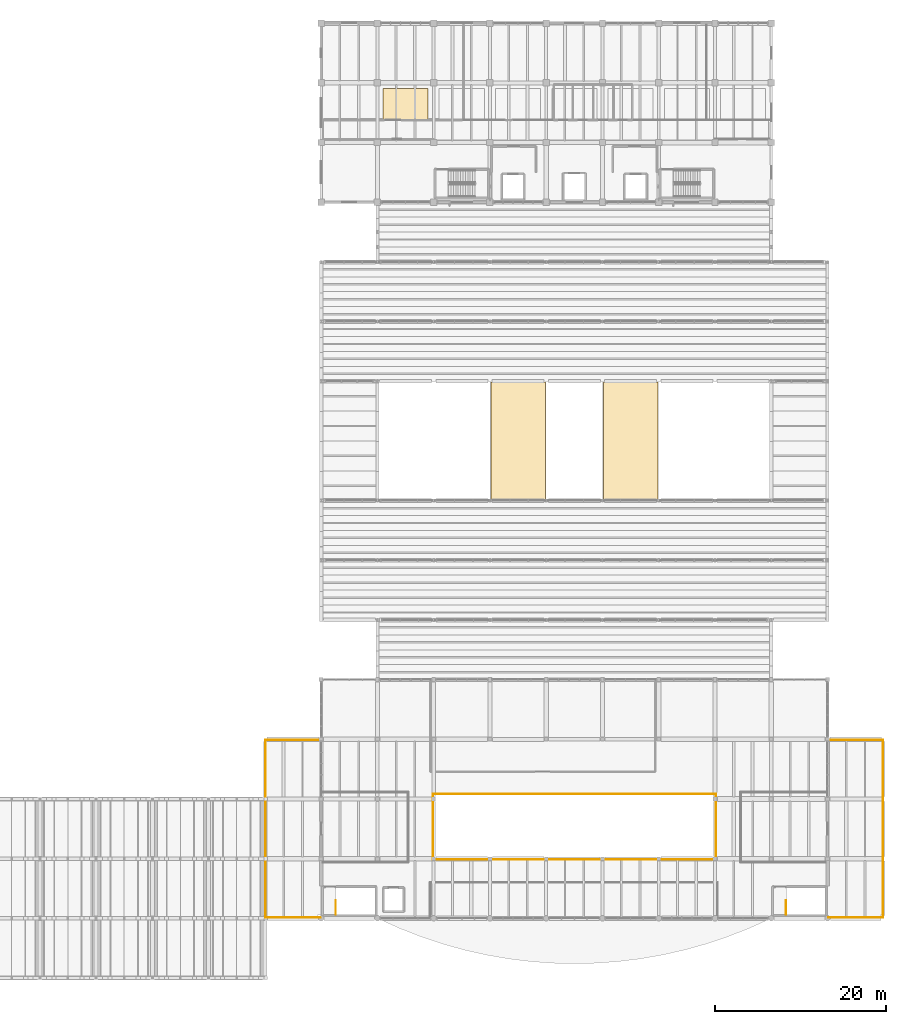
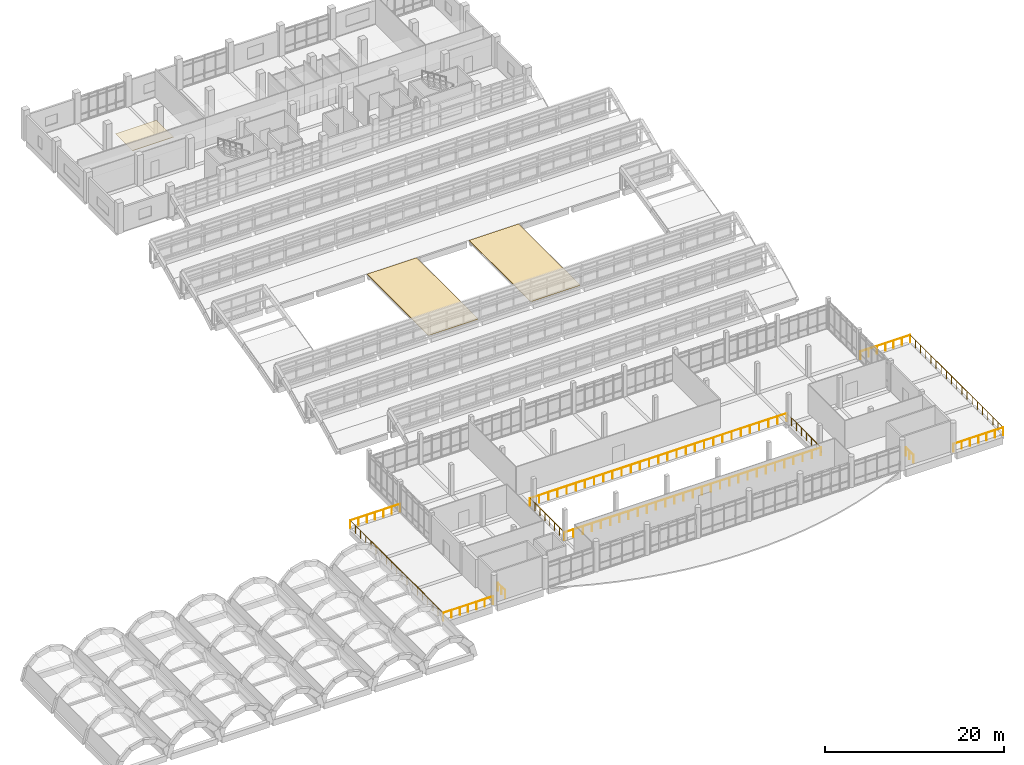
# One storey, part 90 of 92: 12 railings, 3 coverings.
"""IFC4 building model written with IfcOpenShell, lengths in metres."""

import ifcopenshell
import ifcopenshell.guid

model = None  # the IFC model being written
_history = None  # IfcOwnerHistory: only IFC2X3 demands one
_inside = {}  # id of a spatial element -> (the spatial element, [elements in it])
_under = {}  # id of a project, library or spatial element -> (it, [spatial elements below it])
_declared = {}  # id of a project -> (the project, [libraries it declares])
_typed = {}  # id of a type object -> (the type object, [elements of that type])
_made_of = {}  # id of a material, layer set ... -> (it, [elements and type objects made of it])


def new_model(schema):
    """Start an empty IFC model of exactly this schema.

    Asked for "IFC4X3", IfcOpenShell would pick the latest addendum, in which some entities
    have other attributes; the version numbers below select the first issue.
    IFC2X3 requires an IfcOwnerHistory on every rooted entity: one is made here for all.
    """
    global model, _history
    if schema == "IFC4X3":
        model = ifcopenshell.file(schema_version=(4, 3, 0, 0))
    else:
        model = ifcopenshell.file(schema=schema)
    _inside.clear()
    _under.clear()
    _declared.clear()
    _typed.clear()
    _made_of.clear()
    _history = None
    if model.schema == "IFC2X3":
        org = make("IfcOrganization", Name="unknown")
        user = make(
            "IfcPersonAndOrganization",
            ThePerson=make("IfcPerson", FamilyName="unknown"),
            TheOrganization=org,
        )
        app = make(
            "IfcApplication",
            ApplicationDeveloper=org,
            Version="unknown",
            ApplicationFullName="unknown",
            ApplicationIdentifier="unknown",
        )
        _history = make(
            "IfcOwnerHistory",
            OwningUser=user,
            OwningApplication=app,
            ChangeAction="ADDED",
            CreationDate=0,
        )
    return model


def make(cls, **values):
    """One entity of the class cls with the attributes given. An attribute that is None is left unset."""
    return model.create_entity(
        cls, **{name: value for name, value in values.items() if value is not None}
    )


def rooted(cls, **values):
    """An entity with a GlobalId (a new one), such as an element, a storey or a relation."""
    return make(cls, GlobalId=ifcopenshell.guid.new(), OwnerHistory=_history, **values)


def si_unit(unit_type, name, prefix=None):
    """IfcSIUnit, for example si_unit("LENGTHUNIT", "METRE", prefix="MILLI")."""
    return make("IfcSIUnit", UnitType=unit_type, Prefix=prefix, Name=name)


def assignment(units):
    """IfcUnitAssignment: the units of a project."""
    return None if units is None else make("IfcUnitAssignment", Units=units)


def point(xyz):
    """IfcCartesianPoint."""
    return None if xyz is None else make("IfcCartesianPoint", Coordinates=xyz)


def direction(xyz):
    """IfcDirection."""
    return None if xyz is None else make("IfcDirection", DirectionRatios=xyz)


def frame(location, z_axis=None, x_axis=None):
    """IfcAxis2Placement3D, a coordinate frame: its origin and axes. An axis left out is left unset."""
    return make(
        "IfcAxis2Placement3D",
        Location=point(location),
        Axis=direction(z_axis),
        RefDirection=direction(x_axis),
    )


def frame_2d(location, x_axis=None):
    """IfcAxis2Placement2D, a coordinate frame in the plane: its origin and x axis."""
    return make(
        "IfcAxis2Placement2D", Location=point(location), RefDirection=direction(x_axis)
    )


def origin():
    """The frame at (0, 0, 0) with its axes left unset."""
    return frame((0.0, 0.0, 0.0))


def origin_2d():
    """The frame at (0, 0) in the plane with its x axis left unset."""
    return frame_2d((0.0, 0.0))


def place(relative_to, where):
    """IfcLocalPlacement: puts the frame where relative to a parent placement (None: the world)."""
    return make(
        "IfcLocalPlacement", PlacementRelTo=relative_to, RelativePlacement=where
    )


def context(
    kind, dimensions, precision=None, world=None, true_north=None, identifier=None
):
    """IfcGeometricRepresentationContext, for example the 3D "Model" context."""
    return make(
        "IfcGeometricRepresentationContext",
        ContextIdentifier=identifier,
        ContextType=kind,
        CoordinateSpaceDimension=dimensions,
        Precision=precision,
        WorldCoordinateSystem=world,
        TrueNorth=true_north,
    )


def subcontext(parent, identifier, kind, view, scale=None):
    """IfcGeometricRepresentationSubContext, for example "Body" below "Model"."""
    return make(
        "IfcGeometricRepresentationSubContext",
        ContextIdentifier=identifier,
        ContextType=kind,
        ParentContext=parent,
        TargetScale=scale,
        TargetView=view,
    )


def project(units=None, contexts=None):
    """IfcProject with its units and contexts."""
    return rooted(
        "IfcProject",
        Name="project",
        RepresentationContexts=contexts,
        UnitsInContext=assignment(units),
    )


def spatial(cls, under=None, at=None, **own):
    """A site, building, storey or space (cls), placed at a placement, below another one or the project."""
    s = rooted(cls, ObjectPlacement=at, **own)
    if under is not None:
        _under.setdefault(under.id(), (under, []))[1].append(s)
    return s


def polyline(points):
    """IfcPolyline through the points."""
    return make("IfcPolyline", Points=[point(p) for p in points])


def profile(cls, at=None, kind="AREA", **sizes):
    """A parametric profile (cls). Its sizes go by their IFC names, for example OverallWidth=200.0."""
    return make(cls, ProfileType=kind, Position=at, **sizes)


def circle(**sizes):
    """IfcCircleProfileDef."""
    return profile("IfcCircleProfileDef", **sizes)


def outline(outer, holes=None, kind="AREA"):
    """IfcArbitraryClosedProfileDef: a profile drawn as a closed curve; with holes, ...WithVoids."""
    if holes is None:
        return make("IfcArbitraryClosedProfileDef", ProfileType=kind, OuterCurve=outer)
    return make(
        "IfcArbitraryProfileDefWithVoids",
        ProfileType=kind,
        OuterCurve=outer,
        InnerCurves=holes,
    )


def extrude(swept, where, along, depth):
    """IfcExtrudedAreaSolid: the profile swept, set in the frame where, extruded along a direction by depth."""
    return make(
        "IfcExtrudedAreaSolid",
        SweptArea=swept,
        Position=where,
        ExtrudedDirection=direction(along),
        Depth=depth,
    )


def shape(context_of_items, identifier, shape_type, items):
    """IfcShapeRepresentation: the items that make up one representation, for example the "Body"."""
    return make(
        "IfcShapeRepresentation",
        ContextOfItems=context_of_items,
        RepresentationIdentifier=identifier,
        RepresentationType=shape_type,
        Items=items,
    )


def material(Name=None, Category=None):
    """IfcMaterial."""
    return make("IfcMaterial", Name=Name, Category=Category)


def layer(
    of_material, thickness, ventilated=None, Name=None, Category=None, Priority=None
):
    """IfcMaterialLayer: one layer of a wall or slab, of a material (None: an air gap)."""
    return make(
        "IfcMaterialLayer",
        Material=of_material,
        LayerThickness=thickness,
        IsVentilated=ventilated,
        Name=Name,
        Category=Category,
        Priority=Priority,
    )


def layer_set(layers, Name=None):
    """IfcMaterialLayerSet."""
    return make("IfcMaterialLayerSet", MaterialLayers=layers, LayerSetName=Name)


def made_of(thing, what):
    """Note that an element or type object is made of a material, layer set ...; save() writes the relation."""
    if what is not None:
        _made_of.setdefault(what.id(), (what, []))[1].append(thing)
    return thing


def type_object(cls, material=None, **own):
    """A type object (cls), such as IfcWallType, which elements share."""
    return made_of(rooted(cls, **own), material)


def element(
    cls,
    number,
    at=None,
    inside=None,
    cuts=None,
    type_object=None,
    material=None,
    context=None,
    identifier="Body",
    shape_type=None,
    held_by="IfcProductDefinitionShape",
    body=None,
    shapes=None,
    **own,
):
    """One element of the class cls, such as IfcWall. Its Tag is "e" and its number.

    at: its placement. inside: the storey or other place that contains it. cuts: it is an
    opening in that element (IfcRelVoidsElement). A single representation is given by context,
    identifier, shape_type and body (its items); several are given by shapes. held_by: the class
    of the entity that holds the representations. save() writes the other relations.
    """
    e = rooted(cls, Tag="e%d" % number, ObjectPlacement=at, **own)
    if body is not None:
        shapes = [shape(context, identifier, shape_type, body)]
    if shapes is not None:
        e.Representation = make(held_by, Representations=shapes)
    if inside is not None:
        _inside.setdefault(inside.id(), (inside, []))[1].append(e)
    if cuts is not None:
        rooted(
            "IfcRelVoidsElement", RelatingBuildingElement=cuts, RelatedOpeningElement=e
        )
    if type_object is not None:
        _typed.setdefault(type_object.id(), (type_object, []))[1].append(e)
    return made_of(e, material)


def aggregate(whole, parts):
    """IfcRelAggregates: a whole, such as a stair, and the parts it consists of."""
    return rooted("IfcRelAggregates", RelatingObject=whole, RelatedObjects=parts)


def save(model, path):
    """Write the relations noted so far, then the file.

    IfcRelAggregates (storeys below a building ...), IfcRelContainedInSpatialStructure (elements
    in a storey), IfcRelDefinesByType, IfcRelAssociatesMaterial and IfcRelDeclares: one each for
    every whole, place, type object, material and project.
    """
    for whole, parts in _under.values():
        aggregate(whole, parts)
    for where, things in _inside.values():
        rooted(
            "IfcRelContainedInSpatialStructure",
            RelatedElements=things,
            RelatingStructure=where,
        )
    for kind, things in _typed.values():
        rooted("IfcRelDefinesByType", RelatedObjects=things, RelatingType=kind)
    for what, things in _made_of.values():
        rooted("IfcRelAssociatesMaterial", RelatedObjects=things, RelatingMaterial=what)
    for by, libraries in _declared.values():
        rooted("IfcRelDeclares", RelatingContext=by, RelatedDefinitions=libraries)
    model.write(path)


model = new_model("IFC4")

# Units and contexts
model_context = context("Model", 3, precision=1e-05, world=origin(), true_north=direction((0.0, 1.0)))
body_context = subcontext(model_context, "Body", "Model", "MODEL_VIEW")
ifc_project = project(units=[si_unit("LENGTHUNIT", "METRE"), si_unit("AREAUNIT", "SQUARE_METRE"), si_unit("VOLUMEUNIT", "CUBIC_METRE"), si_unit("PLANEANGLEUNIT", "RADIAN"), si_unit("MASSUNIT", "GRAM", prefix="KILO")], contexts=[model_context])

# Site, building, storey
site_placement = place(None, origin())
site = spatial("IfcSite", under=ifc_project, at=site_placement, CompositionType="ELEMENT")
building_placement = place(site_placement, origin())
building = spatial("IfcBuilding", under=site, at=building_placement, Name="Ciguamira Faculty of Natural Sciences", CompositionType="ELEMENT")
storey_placement = place(building_placement, frame((0.0, 0.0, 16.800048828125)))
storey = spatial("IfcBuildingStorey", under=building, at=storey_placement, Name="L04", CompositionType="ELEMENT", Elevation=16.800048828125)

# Covering
ifc_material_1 = material(Name="Perforated white acoustic ceiling")
ifc_layer_1 = layer(ifc_material_1, 0.0400390625, Name="Perforated white acoustic ceiling")
ifc_layer_set_1 = layer_set([ifc_layer_1], Name="Perforated white acoustic ceiling")
covering_type_1 = type_object("IfcCoveringType", Name="AcousticCeiling_AC01", PredefinedType="CEILING", material=ifc_layer_set_1)
covering_1_placement = place(storey_placement, frame((0.0, 0.0, 2.760009765625)))
element("IfcCovering", 1, at=covering_1_placement, inside=storey, type_object=covering_type_1, Name="L04 research bay 01 acoustic ceiling", PredefinedType="CEILING", context=body_context, shape_type="SweptSolid", body=[
    extrude(outline(polyline([(64.550048828125, 103.550048828125), (69.85009765625, 103.550048828125), (69.85009765625, 107.35009765625), (64.550048828125, 107.35009765625), (64.550048828125, 103.550048828125)])), origin(), (0.0, 0.0, 1.0), 0.0400390625),
])

# Railings
ifc_material_2 = material(Name="Stainless steel balustrade", Category="steel")
railing_type = type_object("IfcRailingType", Name="Guardrail_GR01", PredefinedType="GUARDRAIL", material=ifc_material_2)
railing_1_placement = place(storey_placement, frame((50.780029296875, 10.080078125, 0.0)))
element("IfcRailing", 2, at=railing_1_placement, inside=storey, type_object=railing_type, Name="L04 Atrium West Botanical Roof Terrace south guardrail", PredefinedType="GUARDRAIL", context=body_context, shape_type="SweptSolid", body=[
    extrude(circle(Radius=0.02392578125, at=origin_2d()), frame((0.0, 0.0, 1.076171875), z_axis=(1.0, 0.0, 0.0), x_axis=(0.0, 1.0, 0.0)), (0.0, 0.0, 1.0), 6.43994140625),
    extrude(circle(Radius=0.02099609375, at=origin_2d()), origin(), (0.0, 0.0, 1.0), 1.052001953125),
    extrude(circle(Radius=0.02099609375, at=origin_2d()), frame((1.0732421875, 0.0, 0.0)), (0.0, 0.0, 1.0), 1.052001953125),
    extrude(circle(Radius=0.02099609375, at=origin_2d()), frame((2.146728515625, 0.0, 0.0)), (0.0, 0.0, 1.0), 1.052001953125),
    extrude(circle(Radius=0.02099609375, at=origin_2d()), frame((3.219970703125, 0.0, 0.0)), (0.0, 0.0, 1.0), 1.052001953125),
    extrude(circle(Radius=0.02099609375, at=origin_2d()), frame((4.293212890625, 0.0, 0.0)), (0.0, 0.0, 1.0), 1.052001953125),
    extrude(circle(Radius=0.02099609375, at=origin_2d()), frame((5.36669921875, 0.0, 0.0)), (0.0, 0.0, 1.0), 1.052001953125),
    extrude(circle(Radius=0.02099609375, at=origin_2d()), frame((6.43994140625, 0.0, 0.0)), (0.0, 0.0, 1.0), 1.052001953125),
])
railing_2_placement = place(storey_placement, frame((50.780029296875, 10.080078125, 0.0)))
element("IfcRailing", 3, at=railing_2_placement, inside=storey, type_object=railing_type, Name="L04 Atrium West Botanical Roof Terrace west guardrail", PredefinedType="GUARDRAIL", context=body_context, shape_type="SweptSolid", body=[
    extrude(circle(Radius=0.02392578125, at=origin_2d()), frame((0.0, 0.0, 1.076171875), z_axis=(0.0, 1.0, 0.0), x_axis=(-1.0, 0.0, 0.0)), (0.0, 0.0, 1.0), 20.83984375),
    extrude(circle(Radius=0.02099609375, at=origin_2d()), origin(), (0.0, 0.0, 1.0), 1.052001953125),
    extrude(circle(Radius=0.02099609375, at=origin_2d()), frame((0.0, 1.15771484375, 0.0)), (0.0, 0.0, 1.0), 1.052001953125),
    extrude(circle(Radius=0.02099609375, at=origin_2d()), frame((0.0, 2.3154296875, 0.0)), (0.0, 0.0, 1.0), 1.052001953125),
    extrude(circle(Radius=0.02099609375, at=origin_2d()), frame((0.0, 3.473388671875, 0.0)), (0.0, 0.0, 1.0), 1.052001953125),
    extrude(circle(Radius=0.02099609375, at=origin_2d()), frame((0.0, 4.631103515625, 0.0)), (0.0, 0.0, 1.0), 1.052001953125),
    extrude(circle(Radius=0.02099609375, at=origin_2d()), frame((0.0, 5.788818359375, 0.0)), (0.0, 0.0, 1.0), 1.052001953125),
    extrude(circle(Radius=0.02099609375, at=origin_2d()), frame((0.0, 6.946533203125, 0.0)), (0.0, 0.0, 1.0), 1.052001953125),
    extrude(circle(Radius=0.02099609375, at=origin_2d()), frame((0.0, 8.1044921875, 0.0)), (0.0, 0.0, 1.0), 1.052001953125),
    extrude(circle(Radius=0.02099609375, at=origin_2d()), frame((0.0, 9.26220703125, 0.0)), (0.0, 0.0, 1.0), 1.052001953125),
    extrude(circle(Radius=0.02099609375, at=origin_2d()), frame((0.0, 10.419921875, 0.0)), (0.0, 0.0, 1.0), 1.052001953125),
    extrude(circle(Radius=0.02099609375, at=origin_2d()), frame((0.0, 11.57763671875, 0.0)), (0.0, 0.0, 1.0), 1.052001953125),
    extrude(circle(Radius=0.02099609375, at=origin_2d()), frame((0.0, 12.7353515625, 0.0)), (0.0, 0.0, 1.0), 1.052001953125),
    extrude(circle(Radius=0.02099609375, at=origin_2d()), frame((0.0, 13.893310546875, 0.0)), (0.0, 0.0, 1.0), 1.052001953125),
    extrude(circle(Radius=0.02099609375, at=origin_2d()), frame((0.0, 15.051025390625, 0.0)), (0.0, 0.0, 1.0), 1.052001953125),
    extrude(circle(Radius=0.02099609375, at=origin_2d()), frame((0.0, 16.208740234375, 0.0)), (0.0, 0.0, 1.0), 1.052001953125),
    extrude(circle(Radius=0.02099609375, at=origin_2d()), frame((0.0, 17.366455078125, 0.0)), (0.0, 0.0, 1.0), 1.052001953125),
    extrude(circle(Radius=0.02099609375, at=origin_2d()), frame((0.0, 18.5244140625, 0.0)), (0.0, 0.0, 1.0), 1.052001953125),
    extrude(circle(Radius=0.02099609375, at=origin_2d()), frame((0.0, 19.68212890625, 0.0)), (0.0, 0.0, 1.0), 1.052001953125),
    extrude(circle(Radius=0.02099609375, at=origin_2d()), frame((0.0, 20.83984375, 0.0)), (0.0, 0.0, 1.0), 1.052001953125),
])
for number, where, name in (
    (4, (50.780029296875, 30.919921875, 0.0), "L04 Atrium West Botanical Roof Terrace north guardrail"),
    (5, (116.780029296875, 10.080078125, 0.0), "L04 Atrium East Botanical Roof Terrace south guardrail"),
):
    element("IfcRailing", number, at=place(storey_placement, frame(where)), inside=storey, type_object=railing_type, Name=name, PredefinedType="GUARDRAIL", context=body_context, shape_type="SweptSolid", body=[
        extrude(circle(Radius=0.02392578125, at=origin_2d()), frame((0.0, 0.0, 1.076171875), z_axis=(1.0, 0.0, 0.0), x_axis=(0.0, 1.0, 0.0)), (0.0, 0.0, 1.0), 6.43994140625),
        extrude(circle(Radius=0.02099609375, at=origin_2d()), origin(), (0.0, 0.0, 1.0), 1.052001953125),
        extrude(circle(Radius=0.02099609375, at=origin_2d()), frame((1.0732421875, 0.0, 0.0)), (0.0, 0.0, 1.0), 1.052001953125),
        extrude(circle(Radius=0.02099609375, at=origin_2d()), frame((2.146728515625, 0.0, 0.0)), (0.0, 0.0, 1.0), 1.052001953125),
        extrude(circle(Radius=0.02099609375, at=origin_2d()), frame((3.219970703125, 0.0, 0.0)), (0.0, 0.0, 1.0), 1.052001953125),
        extrude(circle(Radius=0.02099609375, at=origin_2d()), frame((4.293212890625, 0.0, 0.0)), (0.0, 0.0, 1.0), 1.052001953125),
        extrude(circle(Radius=0.02099609375, at=origin_2d()), frame((5.36669921875, 0.0, 0.0)), (0.0, 0.0, 1.0), 1.052001953125),
        extrude(circle(Radius=0.02099609375, at=origin_2d()), frame((6.43994140625, 0.0, 0.0)), (0.0, 0.0, 1.0), 1.052001953125),
    ])
railing_3_placement = place(storey_placement, frame((123.219970703125, 10.080078125, 0.0)))
element("IfcRailing", 6, at=railing_3_placement, inside=storey, type_object=railing_type, Name="L04 Atrium East Botanical Roof Terrace east guardrail", PredefinedType="GUARDRAIL", context=body_context, shape_type="SweptSolid", body=[
    extrude(circle(Radius=0.02392578125, at=origin_2d()), frame((0.0, 0.0, 1.076171875), z_axis=(0.0, 1.0, 0.0), x_axis=(-1.0, 0.0, 0.0)), (0.0, 0.0, 1.0), 20.83984375),
    extrude(circle(Radius=0.02099609375, at=origin_2d()), origin(), (0.0, 0.0, 1.0), 1.052001953125),
    extrude(circle(Radius=0.02099609375, at=origin_2d()), frame((0.0, 1.15771484375, 0.0)), (0.0, 0.0, 1.0), 1.052001953125),
    extrude(circle(Radius=0.02099609375, at=origin_2d()), frame((0.0, 2.3154296875, 0.0)), (0.0, 0.0, 1.0), 1.052001953125),
    extrude(circle(Radius=0.02099609375, at=origin_2d()), frame((0.0, 3.473388671875, 0.0)), (0.0, 0.0, 1.0), 1.052001953125),
    extrude(circle(Radius=0.02099609375, at=origin_2d()), frame((0.0, 4.631103515625, 0.0)), (0.0, 0.0, 1.0), 1.052001953125),
    extrude(circle(Radius=0.02099609375, at=origin_2d()), frame((0.0, 5.788818359375, 0.0)), (0.0, 0.0, 1.0), 1.052001953125),
    extrude(circle(Radius=0.02099609375, at=origin_2d()), frame((0.0, 6.946533203125, 0.0)), (0.0, 0.0, 1.0), 1.052001953125),
    extrude(circle(Radius=0.02099609375, at=origin_2d()), frame((0.0, 8.1044921875, 0.0)), (0.0, 0.0, 1.0), 1.052001953125),
    extrude(circle(Radius=0.02099609375, at=origin_2d()), frame((0.0, 9.26220703125, 0.0)), (0.0, 0.0, 1.0), 1.052001953125),
    extrude(circle(Radius=0.02099609375, at=origin_2d()), frame((0.0, 10.419921875, 0.0)), (0.0, 0.0, 1.0), 1.052001953125),
    extrude(circle(Radius=0.02099609375, at=origin_2d()), frame((0.0, 11.57763671875, 0.0)), (0.0, 0.0, 1.0), 1.052001953125),
    extrude(circle(Radius=0.02099609375, at=origin_2d()), frame((0.0, 12.7353515625, 0.0)), (0.0, 0.0, 1.0), 1.052001953125),
    extrude(circle(Radius=0.02099609375, at=origin_2d()), frame((0.0, 13.893310546875, 0.0)), (0.0, 0.0, 1.0), 1.052001953125),
    extrude(circle(Radius=0.02099609375, at=origin_2d()), frame((0.0, 15.051025390625, 0.0)), (0.0, 0.0, 1.0), 1.052001953125),
    extrude(circle(Radius=0.02099609375, at=origin_2d()), frame((0.0, 16.208740234375, 0.0)), (0.0, 0.0, 1.0), 1.052001953125),
    extrude(circle(Radius=0.02099609375, at=origin_2d()), frame((0.0, 17.366455078125, 0.0)), (0.0, 0.0, 1.0), 1.052001953125),
    extrude(circle(Radius=0.02099609375, at=origin_2d()), frame((0.0, 18.5244140625, 0.0)), (0.0, 0.0, 1.0), 1.052001953125),
    extrude(circle(Radius=0.02099609375, at=origin_2d()), frame((0.0, 19.68212890625, 0.0)), (0.0, 0.0, 1.0), 1.052001953125),
    extrude(circle(Radius=0.02099609375, at=origin_2d()), frame((0.0, 20.83984375, 0.0)), (0.0, 0.0, 1.0), 1.052001953125),
])
railing_4_placement = place(storey_placement, frame((116.780029296875, 30.919921875, 0.0)))
element("IfcRailing", 7, at=railing_4_placement, inside=storey, type_object=railing_type, Name="L04 Atrium East Botanical Roof Terrace north guardrail", PredefinedType="GUARDRAIL", context=body_context, shape_type="SweptSolid", body=[
    extrude(circle(Radius=0.02392578125, at=origin_2d()), frame((0.0, 0.0, 1.076171875), z_axis=(1.0, 0.0, 0.0), x_axis=(0.0, 1.0, 0.0)), (0.0, 0.0, 1.0), 6.43994140625),
    extrude(circle(Radius=0.02099609375, at=origin_2d()), origin(), (0.0, 0.0, 1.0), 1.052001953125),
    extrude(circle(Radius=0.02099609375, at=origin_2d()), frame((1.0732421875, 0.0, 0.0)), (0.0, 0.0, 1.0), 1.052001953125),
    extrude(circle(Radius=0.02099609375, at=origin_2d()), frame((2.146728515625, 0.0, 0.0)), (0.0, 0.0, 1.0), 1.052001953125),
    extrude(circle(Radius=0.02099609375, at=origin_2d()), frame((3.219970703125, 0.0, 0.0)), (0.0, 0.0, 1.0), 1.052001953125),
    extrude(circle(Radius=0.02099609375, at=origin_2d()), frame((4.293212890625, 0.0, 0.0)), (0.0, 0.0, 1.0), 1.052001953125),
    extrude(circle(Radius=0.02099609375, at=origin_2d()), frame((5.36669921875, 0.0, 0.0)), (0.0, 0.0, 1.0), 1.052001953125),
    extrude(circle(Radius=0.02099609375, at=origin_2d()), frame((6.43994140625, 0.0, 0.0)), (0.0, 0.0, 1.0), 1.052001953125),
])
for number, where, name in (
    (8, (59.010009765625, 10.449951171875, 0.0), "L04 ST-A1 top well guard 1"),
    (9, (111.81005859375, 10.449951171875, 0.0), "L04 ST-A2 top well guard 1"),
):
    element("IfcRailing", number, at=place(storey_placement, frame(where)), inside=storey, type_object=railing_type, Name=name, PredefinedType="GUARDRAIL", context=body_context, shape_type="SweptSolid", body=[
        extrude(circle(Radius=0.02392578125, at=origin_2d()), frame((0.0, 0.0, 1.076171875), z_axis=(0.0, 1.0, 0.0), x_axis=(-1.0, 0.0, 0.0)), (0.0, 0.0, 1.0), 1.66015625),
        extrude(circle(Radius=0.02099609375, at=origin_2d()), origin(), (0.0, 0.0, 1.0), 1.052001953125),
        extrude(circle(Radius=0.02099609375, at=origin_2d()), frame((0.0, 0.830078125, 0.0)), (0.0, 0.0, 1.0), 1.052001953125),
        extrude(circle(Radius=0.02099609375, at=origin_2d()), frame((0.0, 1.66015625, 0.0)), (0.0, 0.0, 1.0), 1.052001953125),
    ])
railing_5_placement = place(storey_placement, frame((70.39990234375, 16.89990234375, 0.0)))
element("IfcRailing", 10, at=railing_5_placement, inside=storey, type_object=railing_type, Name="L04 atrium void guardrail S", PredefinedType="GUARDRAIL", context=body_context, shape_type="SweptSolid", body=[
    extrude(circle(Radius=0.02392578125, at=origin_2d()), frame((0.0, 0.0, 1.076171875), z_axis=(1.0, 0.0, 0.0), x_axis=(0.0, 1.0, 0.0)), (0.0, 0.0, 1.0), 33.2001953125),
    extrude(circle(Radius=0.02099609375, at=origin_2d()), origin(), (0.0, 0.0, 1.0), 1.052001953125),
    extrude(circle(Radius=0.02099609375, at=origin_2d()), frame((1.185791015625, 0.0, 0.0)), (0.0, 0.0, 1.0), 1.052001953125),
    extrude(circle(Radius=0.02099609375, at=origin_2d()), frame((2.371337890625, 0.0, 0.0)), (0.0, 0.0, 1.0), 1.052001953125),
    extrude(circle(Radius=0.02099609375, at=origin_2d()), frame((3.55712890625, 0.0, 0.0)), (0.0, 0.0, 1.0), 1.052001953125),
    extrude(circle(Radius=0.02099609375, at=origin_2d()), frame((4.742919921875, 0.0, 0.0)), (0.0, 0.0, 1.0), 1.052001953125),
    extrude(circle(Radius=0.02099609375, at=origin_2d()), frame((5.9287109375, 0.0, 0.0)), (0.0, 0.0, 1.0), 1.052001953125),
    extrude(circle(Radius=0.02099609375, at=origin_2d()), frame((7.1142578125, 0.0, 0.0)), (0.0, 0.0, 1.0), 1.052001953125),
    extrude(circle(Radius=0.02099609375, at=origin_2d()), frame((8.300048828125, 0.0, 0.0)), (0.0, 0.0, 1.0), 1.052001953125),
    extrude(circle(Radius=0.02099609375, at=origin_2d()), frame((9.48583984375, 0.0, 0.0)), (0.0, 0.0, 1.0), 1.052001953125),
    extrude(circle(Radius=0.02099609375, at=origin_2d()), frame((10.67138671875, 0.0, 0.0)), (0.0, 0.0, 1.0), 1.052001953125),
    extrude(circle(Radius=0.02099609375, at=origin_2d()), frame((11.857177734375, 0.0, 0.0)), (0.0, 0.0, 1.0), 1.052001953125),
    extrude(circle(Radius=0.02099609375, at=origin_2d()), frame((13.04296875, 0.0, 0.0)), (0.0, 0.0, 1.0), 1.052001953125),
    extrude(circle(Radius=0.02099609375, at=origin_2d()), frame((14.228759765625, 0.0, 0.0)), (0.0, 0.0, 1.0), 1.052001953125),
    extrude(circle(Radius=0.02099609375, at=origin_2d()), frame((15.414306640625, 0.0, 0.0)), (0.0, 0.0, 1.0), 1.052001953125),
    extrude(circle(Radius=0.02099609375, at=origin_2d()), frame((16.60009765625, 0.0, 0.0)), (0.0, 0.0, 1.0), 1.052001953125),
    extrude(circle(Radius=0.02099609375, at=origin_2d()), frame((17.785888671875, 0.0, 0.0)), (0.0, 0.0, 1.0), 1.052001953125),
    extrude(circle(Radius=0.02099609375, at=origin_2d()), frame((18.971435546875, 0.0, 0.0)), (0.0, 0.0, 1.0), 1.052001953125),
    extrude(circle(Radius=0.02099609375, at=origin_2d()), frame((20.1572265625, 0.0, 0.0)), (0.0, 0.0, 1.0), 1.052001953125),
    extrude(circle(Radius=0.02099609375, at=origin_2d()), frame((21.343017578125, 0.0, 0.0)), (0.0, 0.0, 1.0), 1.052001953125),
    extrude(circle(Radius=0.02099609375, at=origin_2d()), frame((22.52880859375, 0.0, 0.0)), (0.0, 0.0, 1.0), 1.052001953125),
    extrude(circle(Radius=0.02099609375, at=origin_2d()), frame((23.71435546875, 0.0, 0.0)), (0.0, 0.0, 1.0), 1.052001953125),
    extrude(circle(Radius=0.02099609375, at=origin_2d()), frame((24.900146484375, 0.0, 0.0)), (0.0, 0.0, 1.0), 1.052001953125),
    extrude(circle(Radius=0.02099609375, at=origin_2d()), frame((26.0859375, 0.0, 0.0)), (0.0, 0.0, 1.0), 1.052001953125),
    extrude(circle(Radius=0.02099609375, at=origin_2d()), frame((27.271484375, 0.0, 0.0)), (0.0, 0.0, 1.0), 1.052001953125),
    extrude(circle(Radius=0.02099609375, at=origin_2d()), frame((28.457275390625, 0.0, 0.0)), (0.0, 0.0, 1.0), 1.052001953125),
    extrude(circle(Radius=0.02099609375, at=origin_2d()), frame((29.64306640625, 0.0, 0.0)), (0.0, 0.0, 1.0), 1.052001953125),
    extrude(circle(Radius=0.02099609375, at=origin_2d()), frame((30.828857421875, 0.0, 0.0)), (0.0, 0.0, 1.0), 1.052001953125),
    extrude(circle(Radius=0.02099609375, at=origin_2d()), frame((32.014404296875, 0.0, 0.0)), (0.0, 0.0, 1.0), 1.052001953125),
    extrude(circle(Radius=0.02099609375, at=origin_2d()), frame((33.2001953125, 0.0, 0.0)), (0.0, 0.0, 1.0), 1.052001953125),
])
railing_6_placement = place(storey_placement, frame((70.39990234375, 24.60009765625, 0.0)))
element("IfcRailing", 11, at=railing_6_placement, inside=storey, type_object=railing_type, Name="L04 atrium void guardrail N", PredefinedType="GUARDRAIL", context=body_context, shape_type="SweptSolid", body=[
    extrude(circle(Radius=0.02392578125, at=origin_2d()), frame((0.0, 0.0, 1.076171875), z_axis=(1.0, 0.0, 0.0), x_axis=(0.0, 1.0, 0.0)), (0.0, 0.0, 1.0), 33.2001953125),
    extrude(circle(Radius=0.02099609375, at=origin_2d()), origin(), (0.0, 0.0, 1.0), 1.052001953125),
    extrude(circle(Radius=0.02099609375, at=origin_2d()), frame((1.185791015625, 0.0, 0.0)), (0.0, 0.0, 1.0), 1.052001953125),
    extrude(circle(Radius=0.02099609375, at=origin_2d()), frame((2.371337890625, 0.0, 0.0)), (0.0, 0.0, 1.0), 1.052001953125),
    extrude(circle(Radius=0.02099609375, at=origin_2d()), frame((3.55712890625, 0.0, 0.0)), (0.0, 0.0, 1.0), 1.052001953125),
    extrude(circle(Radius=0.02099609375, at=origin_2d()), frame((4.742919921875, 0.0, 0.0)), (0.0, 0.0, 1.0), 1.052001953125),
    extrude(circle(Radius=0.02099609375, at=origin_2d()), frame((5.9287109375, 0.0, 0.0)), (0.0, 0.0, 1.0), 1.052001953125),
    extrude(circle(Radius=0.02099609375, at=origin_2d()), frame((7.1142578125, 0.0, 0.0)), (0.0, 0.0, 1.0), 1.052001953125),
    extrude(circle(Radius=0.02099609375, at=origin_2d()), frame((8.300048828125, 0.0, 0.0)), (0.0, 0.0, 1.0), 1.052001953125),
    extrude(circle(Radius=0.02099609375, at=origin_2d()), frame((9.48583984375, 0.0, 0.0)), (0.0, 0.0, 1.0), 1.052001953125),
    extrude(circle(Radius=0.02099609375, at=origin_2d()), frame((10.67138671875, 0.0, 0.0)), (0.0, 0.0, 1.0), 1.052001953125),
    extrude(circle(Radius=0.02099609375, at=origin_2d()), frame((11.857177734375, 0.0, 0.0)), (0.0, 0.0, 1.0), 1.052001953125),
    extrude(circle(Radius=0.02099609375, at=origin_2d()), frame((13.04296875, 0.0, 0.0)), (0.0, 0.0, 1.0), 1.052001953125),
    extrude(circle(Radius=0.02099609375, at=origin_2d()), frame((14.228759765625, 0.0, 0.0)), (0.0, 0.0, 1.0), 1.052001953125),
    extrude(circle(Radius=0.02099609375, at=origin_2d()), frame((15.414306640625, 0.0, 0.0)), (0.0, 0.0, 1.0), 1.052001953125),
    extrude(circle(Radius=0.02099609375, at=origin_2d()), frame((16.60009765625, 0.0, 0.0)), (0.0, 0.0, 1.0), 1.052001953125),
    extrude(circle(Radius=0.02099609375, at=origin_2d()), frame((17.785888671875, 0.0, 0.0)), (0.0, 0.0, 1.0), 1.052001953125),
    extrude(circle(Radius=0.02099609375, at=origin_2d()), frame((18.971435546875, 0.0, 0.0)), (0.0, 0.0, 1.0), 1.052001953125),
    extrude(circle(Radius=0.02099609375, at=origin_2d()), frame((20.1572265625, 0.0, 0.0)), (0.0, 0.0, 1.0), 1.052001953125),
    extrude(circle(Radius=0.02099609375, at=origin_2d()), frame((21.343017578125, 0.0, 0.0)), (0.0, 0.0, 1.0), 1.052001953125),
    extrude(circle(Radius=0.02099609375, at=origin_2d()), frame((22.52880859375, 0.0, 0.0)), (0.0, 0.0, 1.0), 1.052001953125),
    extrude(circle(Radius=0.02099609375, at=origin_2d()), frame((23.71435546875, 0.0, 0.0)), (0.0, 0.0, 1.0), 1.052001953125),
    extrude(circle(Radius=0.02099609375, at=origin_2d()), frame((24.900146484375, 0.0, 0.0)), (0.0, 0.0, 1.0), 1.052001953125),
    extrude(circle(Radius=0.02099609375, at=origin_2d()), frame((26.0859375, 0.0, 0.0)), (0.0, 0.0, 1.0), 1.052001953125),
    extrude(circle(Radius=0.02099609375, at=origin_2d()), frame((27.271484375, 0.0, 0.0)), (0.0, 0.0, 1.0), 1.052001953125),
    extrude(circle(Radius=0.02099609375, at=origin_2d()), frame((28.457275390625, 0.0, 0.0)), (0.0, 0.0, 1.0), 1.052001953125),
    extrude(circle(Radius=0.02099609375, at=origin_2d()), frame((29.64306640625, 0.0, 0.0)), (0.0, 0.0, 1.0), 1.052001953125),
    extrude(circle(Radius=0.02099609375, at=origin_2d()), frame((30.828857421875, 0.0, 0.0)), (0.0, 0.0, 1.0), 1.052001953125),
    extrude(circle(Radius=0.02099609375, at=origin_2d()), frame((32.014404296875, 0.0, 0.0)), (0.0, 0.0, 1.0), 1.052001953125),
    extrude(circle(Radius=0.02099609375, at=origin_2d()), frame((33.2001953125, 0.0, 0.0)), (0.0, 0.0, 1.0), 1.052001953125),
])
for number, where, name in (
    (12, (70.39990234375, 16.89990234375, 0.0), "L04 atrium void guardrail W"),
    (13, (103.60009765625, 16.89990234375, 0.0), "L04 atrium void guardrail E"),
):
    element("IfcRailing", number, at=place(storey_placement, frame(where)), inside=storey, type_object=railing_type, Name=name, PredefinedType="GUARDRAIL", context=body_context, shape_type="SweptSolid", body=[
        extrude(circle(Radius=0.02392578125, at=origin_2d()), frame((0.0, 0.0, 1.076171875), z_axis=(0.0, 1.0, 0.0), x_axis=(-1.0, 0.0, 0.0)), (0.0, 0.0, 1.0), 7.7001953125),
        extrude(circle(Radius=0.02099609375, at=origin_2d()), origin(), (0.0, 0.0, 1.0), 1.052001953125),
        extrude(circle(Radius=0.02099609375, at=origin_2d()), frame((0.0, 1.10009765625, 0.0)), (0.0, 0.0, 1.0), 1.052001953125),
        extrude(circle(Radius=0.02099609375, at=origin_2d()), frame((0.0, 2.199951171875, 0.0)), (0.0, 0.0, 1.0), 1.052001953125),
        extrude(circle(Radius=0.02099609375, at=origin_2d()), frame((0.0, 3.300048828125, 0.0)), (0.0, 0.0, 1.0), 1.052001953125),
        extrude(circle(Radius=0.02099609375, at=origin_2d()), frame((0.0, 4.400146484375, 0.0)), (0.0, 0.0, 1.0), 1.052001953125),
        extrude(circle(Radius=0.02099609375, at=origin_2d()), frame((0.0, 5.500244140625, 0.0)), (0.0, 0.0, 1.0), 1.052001953125),
        extrude(circle(Radius=0.02099609375, at=origin_2d()), frame((0.0, 6.60009765625, 0.0)), (0.0, 0.0, 1.0), 1.052001953125),
        extrude(circle(Radius=0.02099609375, at=origin_2d()), frame((0.0, 7.7001953125, 0.0)), (0.0, 0.0, 1.0), 1.052001953125),
    ])

# Coverings
ifc_material_3 = material(Name="Reflective slate waterproof roof membrane", Category="masonry")
ifc_layer_2 = layer(ifc_material_3, 0.06005859375, Name="Reflective slate waterproof roof membrane")
ifc_layer_set_2 = layer_set([ifc_layer_2], Name="Reflective slate waterproof roof membrane")
covering_type_2 = type_object("IfcCoveringType", Name="Roofing_RF01", PredefinedType="ROOFING", material=ifc_layer_set_2)
covering_2_placement = place(storey_placement, origin())
element("IfcCovering", 14, at=covering_2_placement, inside=storey, type_object=covering_type_2, Name="L04 waterproof roofing membrane 03", PredefinedType="ROOFING", context=body_context, shape_type="SweptSolid", body=[
    extrude(outline(polyline([(77.199951171875, 59.10009765625), (83.60009765625, 59.10009765625), (83.60009765625, 72.89990234375), (77.199951171875, 72.89990234375), (77.199951171875, 59.10009765625)])), origin(), (0.0, 0.0, 1.0), 0.06005859375),
])
covering_3_placement = place(storey_placement, origin())
element("IfcCovering", 15, at=covering_3_placement, inside=storey, type_object=covering_type_2, Name="L04 waterproof roofing membrane 04", PredefinedType="ROOFING", context=body_context, shape_type="SweptSolid", body=[
    extrude(outline(polyline([(90.39990234375, 59.10009765625), (96.800048828125, 59.10009765625), (96.800048828125, 72.89990234375), (90.39990234375, 72.89990234375), (90.39990234375, 59.10009765625)])), origin(), (0.0, 0.0, 1.0), 0.06005859375),
])

save(model, "model.ifc")
